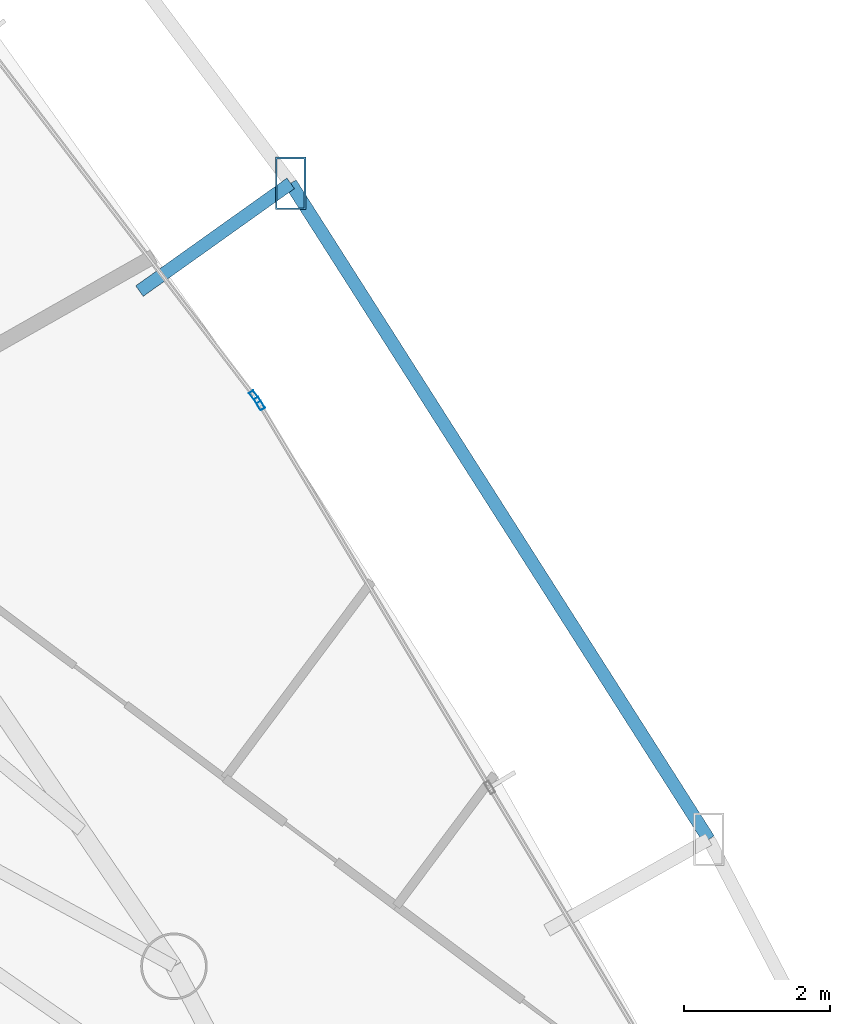
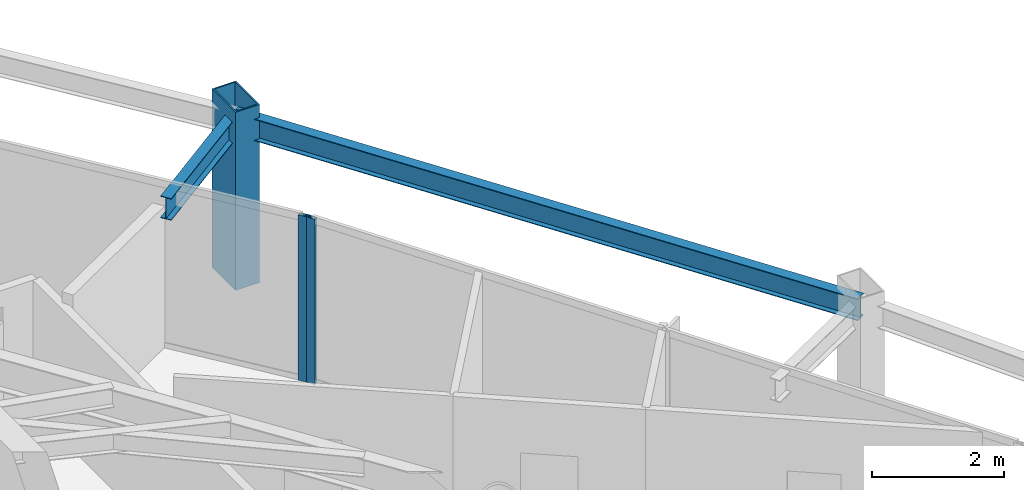
# One storey, part 26 of 34: 3 members, 2 beams, 2 elements without a shape of their own.
"""IFC4 building model written with IfcOpenShell, lengths in metres."""

from ifc_helpers import new_model, si_unit, direction, frame, origin, origin_2d, place, context, subcontext, project, spatial, hollow_rectangle, i_section, extrude, material, layer, layer_set, material_profile, profile_set, type_object, element, aggregate, save


model = new_model("IFC4")

# Units and contexts
model_context = context("Model", 3, precision=1e-05, world=origin(), true_north=direction((0.0, 1.0)))
body_context = subcontext(model_context, "Body", "Model", "MODEL_VIEW")
ifc_project = project(units=[si_unit("LENGTHUNIT", "METRE"), si_unit("AREAUNIT", "SQUARE_METRE"), si_unit("VOLUMEUNIT", "CUBIC_METRE"), si_unit("PLANEANGLEUNIT", "RADIAN"), si_unit("MASSUNIT", "GRAM", prefix="KILO")], contexts=[model_context])

# Site, building, storey
site_placement = place(None, origin())
site = spatial("IfcSite", under=ifc_project, at=site_placement, CompositionType="ELEMENT")
building_placement = place(site_placement, origin())
building = spatial("IfcBuilding", under=site, at=building_placement, Name="Orvanel Arch Residences", CompositionType="ELEMENT")
storey_placement = place(building_placement, frame((0.0, 0.0, 64.25)))
storey = spatial("IfcBuildingStorey", under=building, at=storey_placement, Name="L17", CompositionType="ELEMENT", Elevation=64.25)

# Member
ifc_material_1 = material(Name="Structural steel AS/NZS 3678 Grade 350", Category="steel")
ifc_material_profile_1 = material_profile(ifc_material_1, hollow_rectangle(XDim=0.419921875, YDim=0.719970703125, WallThickness=0.02490234375, at=origin_2d()), Name="RHS720x420x25")
ifc_profile_set_1 = profile_set([ifc_material_profile_1], Name="Structural steel AS/NZS 3678 Grade 350")
member_type_1 = type_object("IfcMemberType", Name="CH-720RHS-EXT", PredefinedType="CHORD", material=ifc_profile_set_1)
member_1_placement = place(storey_placement, frame((47.033935546875, 38.39404296875, 0.0), z_axis=(0.0, 0.0, 1.0), x_axis=(1.0, 0.0, 0.0)))
element("IfcMember", 1, at=member_1_placement, inside=storey, type_object=member_type_1, Name="L17 Outer Perimeter Frame Post 11", PredefinedType="CHORD", context=body_context, shape_type="SweptSolid", body=[
    extrude(hollow_rectangle(XDim=0.419921875, YDim=0.719970703125, WallThickness=0.02490234375, at=origin_2d()), origin(), (0.0, 0.0, 1.0), 3.300048828125),
])

# Curtain wall, member
ifc_material_2 = material(Name="Bronze-anodised aluminium AA6063-T6", Category="aluminium")
ifc_layer = layer(ifc_material_2, 0.179931640625)
ifc_layer_set = layer_set([ifc_layer], Name="Bronze-anodised aluminium AA6063-T6")
curtain_wall_type = type_object("IfcCurtainWallType", Name="CW2-LOW-SYS", PredefinedType="NOTDEFINED", material=ifc_layer_set)
curtain_wall_1_placement = place(storey_placement, origin())
curtain_wall_1 = element("IfcCurtainWall", 2, at=curtain_wall_1_placement, inside=storey, type_object=curtain_wall_type, Name="L17 CW2-LOW-SYS Unitised Curtain Wall", PredefinedType="NOTDEFINED")
ifc_material_profile_2 = material_profile(ifc_material_2, hollow_rectangle(XDim=0.070068359375, YDim=0.179931640625, WallThickness=0.00439453125, at=origin_2d()), Name="ALU180x70x4.5")
ifc_profile_set_2 = profile_set([ifc_material_profile_2], Name="Bronze-anodised aluminium AA6063-T6")
member_type_2 = type_object("IfcMemberType", Name="MUL-180x70", PredefinedType="MULLION", material=ifc_profile_set_2)
member_2_placement = place(storey_placement, frame((46.60498046875, 35.369873046875, 0.0), z_axis=(0.0, 0.0, 1.0), x_axis=(-0.857549994674, -0.514400628533, 0.0)))
member_2 = element("IfcMember", 3, at=member_2_placement, type_object=member_type_2, Name="CW-S2 mullion 3", PredefinedType="MULLION", context=body_context, shape_type="SweptSolid", body=[
    extrude(hollow_rectangle(XDim=0.070068359375, YDim=0.179931640625, WallThickness=0.00439453125, at=origin_2d()), origin(), (0.0, 0.0, 1.0), 3.06005859375),
])
aggregate(curtain_wall_1, [member_2])

curtain_wall_2_placement = place(storey_placement, origin())
curtain_wall_2 = element("IfcCurtainWall", 4, at=curtain_wall_2_placement, inside=storey, type_object=curtain_wall_type, Name="L17 CW2-LOW-SYS Unitised Curtain Wall", PredefinedType="NOTDEFINED")
member_3_placement = place(storey_placement, frame((46.543701171875, 35.4609375, 0.0), z_axis=(0.0, 0.0, 1.0), x_axis=(-0.794898267581, -0.606742733122, 0.0)))
member_3 = element("IfcMember", 5, at=member_3_placement, type_object=member_type_2, Name="CW-S2 mullion 1", PredefinedType="MULLION", context=body_context, shape_type="SweptSolid", body=[
    extrude(hollow_rectangle(XDim=0.070068359375, YDim=0.179931640625, WallThickness=0.00439453125, at=origin_2d()), origin(), (0.0, 0.0, 1.0), 3.06005859375),
])
aggregate(curtain_wall_2, [member_3])

# Beams
ifc_material_3 = material(Name="Structural steel AS/NZS 3679.1 Grade 300 (300 MPa)", Category="steel")
ifc_material_profile_3 = material_profile(ifc_material_3, i_section(OverallWidth=0.177978515625, OverallDepth=0.406005859375, WebThickness=0.0078125, FlangeThickness=0.0126953125, at=origin_2d()), Name="410UB59.7")
ifc_profile_set_3 = profile_set([ifc_material_profile_3], Name="Structural steel AS/NZS 3679.1 Grade 300 (300 MPa)")
beam_type = type_object("IfcBeamType", Name="OB-410UB-EXT", PredefinedType="SPANDREL", material=ifc_profile_set_3)
beam_1_placement = place(storey_placement, frame((52.77587890625, 29.384033203125, 2.85693359375), z_axis=(-0.537428366636, 0.843309403917, 0.0), x_axis=(-0.843309403917, -0.537428366636, 0.0)))
element("IfcBeam", 6, at=beam_1_placement, inside=storey, type_object=beam_type, Name="L17 Outer Perimeter Floor Ring Beam 10", PredefinedType="SPANDREL", context=body_context, shape_type="SweptSolid", body=[
    extrude(i_section(OverallWidth=0.177978515625, OverallDepth=0.406005859375, WebThickness=0.0078125, FlangeThickness=0.0126953125, at=origin_2d()), origin(), (0.0, 0.0, 1.0), 10.68408203125),
])
beam_2_placement = place(storey_placement, frame((44.95703125, 36.9140625, 2.85693359375), z_axis=(0.814386258708, 0.580323204454, 0.0), x_axis=(-0.580323204454, 0.814386258708, 0.0)))
element("IfcBeam", 7, at=beam_2_placement, inside=storey, type_object=beam_type, Name="L17 Outer Frame Radial Tie Beam 11", PredefinedType="SPANDREL", context=body_context, shape_type="SweptSolid", body=[
    extrude(i_section(OverallWidth=0.177978515625, OverallDepth=0.406005859375, WebThickness=0.0078125, FlangeThickness=0.0126953125, at=origin_2d()), origin(), (0.0, 0.0, 1.0), 2.55029296875),
])

save(model, "model.ifc")
